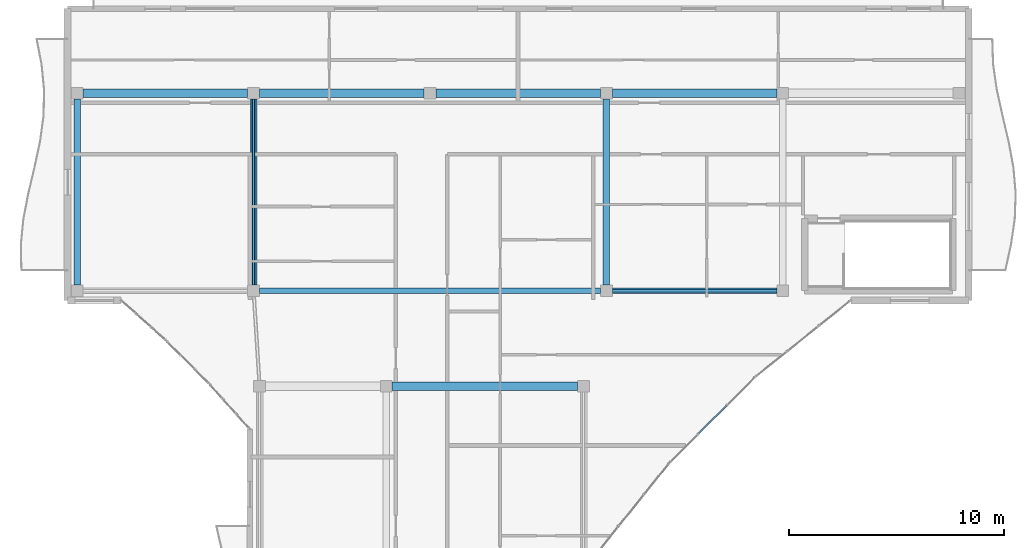
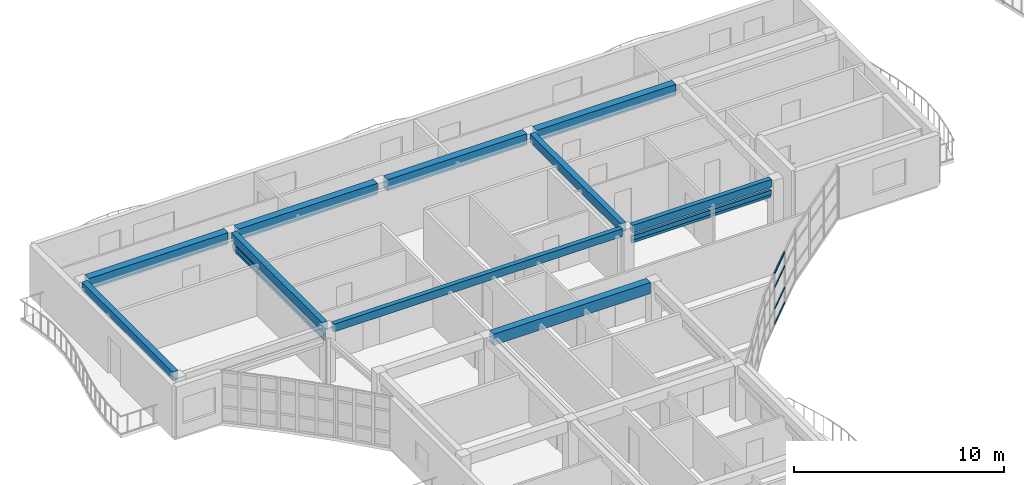
# One storey, part 5 of 49: 10 beams, 8 members, 1 element without a shape of its own.
"""IFC4 building model written with IfcOpenShell, lengths in metres."""

from ifc_helpers import new_model, si_unit, direction, frame, origin, origin_2d, place, context, subcontext, project, spatial, rectangle, hollow_rectangle, extrude, material, layer, layer_set, material_profile, profile_set, type_object, element, aggregate, save


model = new_model("IFC4")

# Units and contexts
model_context = context("Model", 3, precision=1e-05, world=origin(), true_north=direction((0.0, 1.0)))
body_context = subcontext(model_context, "Body", "Model", "MODEL_VIEW")
ifc_project = project(units=[si_unit("LENGTHUNIT", "METRE"), si_unit("AREAUNIT", "SQUARE_METRE"), si_unit("VOLUMEUNIT", "CUBIC_METRE"), si_unit("PLANEANGLEUNIT", "RADIAN"), si_unit("MASSUNIT", "GRAM", prefix="KILO")], contexts=[model_context])

# Site, building, storey
site_placement = place(None, origin())
site = spatial("IfcSite", under=ifc_project, at=site_placement, CompositionType="ELEMENT")
building_placement = place(site_placement, origin())
building = spatial("IfcBuilding", under=site, at=building_placement, Name="Keldmere Railside Commons", CompositionType="ELEMENT")
storey_placement = place(building_placement, frame((0.0, 0.0, 29.760009765625)))
storey = spatial("IfcBuildingStorey", under=building, at=storey_placement, Name="L09", CompositionType="ELEMENT", Elevation=29.760009765625)

# Members
ifc_material_1 = material(Name="Steel F-36 (S355)", Category="steel")
ifc_material_profile_1 = material_profile(ifc_material_1, hollow_rectangle(XDim=0.14990234375, YDim=0.25, WallThickness=0.010009765625, at=origin_2d()), Name="RHS-250x150x10")
ifc_profile_set_1 = profile_set([ifc_material_profile_1], Name="Steel F-36 (S355)")
member_type_1 = type_object("IfcMemberType", Name="Balcony Continuous Planted Trough RHS250x150", PredefinedType="CHORD", material=ifc_profile_set_1)
member_1_placement = place(storey_placement, frame((64.885009765625, 100.449951171875, 2.4150390625), z_axis=(1.0, 0.0, 0.0), x_axis=(0.0, 1.0, 0.0)))
element("IfcMember", 1, at=member_1_placement, inside=storey, type_object=member_type_1, Name="PLT-1 MEM-BPLT-0931", PredefinedType="CHORD", context=body_context, shape_type="SweptSolid", body=[
    extrude(hollow_rectangle(XDim=0.14990234375, YDim=0.25, WallThickness=0.010009765625, at=origin_2d()), origin(), (0.0, 0.0, 1.0), 7.669921875),
])
member_2_placement = place(storey_placement, frame((48.169921875, 100.72509765625, 2.4150390625), z_axis=(0.0, 1.0, 0.0), x_axis=(-1.0, 0.0, 0.0)))
element("IfcMember", 2, at=member_2_placement, inside=storey, type_object=member_type_1, Name="PLT-1 MEM-BPLT-0937", PredefinedType="CHORD", context=body_context, shape_type="SweptSolid", body=[
    extrude(hollow_rectangle(XDim=0.14990234375, YDim=0.25, WallThickness=0.010009765625, at=origin_2d()), origin(), (0.0, 0.0, 1.0), 8.64990234375),
])

# Beams
ifc_material_2 = material(Name="Architectural Precast Concrete H-35 (C35/45)", Category="concrete")
ifc_material_profile_2 = material_profile(ifc_material_2, rectangle(XDim=0.25, YDim=0.449951171875, at=origin_2d()), Name="RC-250x450")
ifc_profile_set_2 = profile_set([ifc_material_profile_2], Name="Architectural Precast Concrete H-35 (C35/45)")
beam_type_1 = type_object("IfcBeamType", Name="Perimeter Precast Spandrel Beam 250x450", PredefinedType="SPANDREL", material=ifc_profile_set_2)
beam_1_placement = place(storey_placement, frame((48.445068359375, 100.449951171875, 2.97509765625), z_axis=(1.0, 0.0, 0.0), x_axis=(0.0, 1.0, 0.0)))
element("IfcBeam", 3, at=beam_1_placement, inside=storey, type_object=beam_type_1, Name="SPB-1 BM-L09-2293", PredefinedType="SPANDREL", context=body_context, shape_type="SweptSolid", body=[
    extrude(rectangle(XDim=0.25, YDim=0.449951171875, at=origin_2d()), origin(), (0.0, 0.0, 1.0), 15.889892578125),
])
beam_2_placement = place(storey_placement, frame((64.885009765625, 100.449951171875, 2.97509765625), z_axis=(1.0, 0.0, 0.0), x_axis=(0.0, 1.0, 0.0)))
element("IfcBeam", 4, at=beam_2_placement, inside=storey, type_object=beam_type_1, Name="SPB-1 BM-L09-2294", PredefinedType="SPANDREL", context=body_context, shape_type="SweptSolid", body=[
    extrude(rectangle(XDim=0.25, YDim=0.449951171875, at=origin_2d()), origin(), (0.0, 0.0, 1.0), 7.669921875),
])
ifc_material_3 = material(Name="Concrete H-30 (C30/37)", Category="concrete")
ifc_material_profile_3 = material_profile(ifc_material_3, rectangle(XDim=0.39990234375, YDim=0.64990234375, at=origin_2d()), Name="RC-400x650")
ifc_profile_set_3 = profile_set([ifc_material_profile_3], Name="Concrete H-30 (C30/37)")
beam_type_2 = type_object("IfcBeamType", Name="Residential Spine RC Girder 400x650", PredefinedType="BEAM", material=ifc_profile_set_3)
beam_3_placement = place(storey_placement, frame((54.625, 96.0, 2.875), z_axis=(1.0, 0.0, 0.0), x_axis=(0.0, 1.0, 0.0)))
element("IfcBeam", 5, at=beam_3_placement, inside=storey, type_object=beam_type_2, Name="BG-3 BM-L09-2287", PredefinedType="BEAM", context=body_context, shape_type="SweptSolid", body=[
    extrude(rectangle(XDim=0.39990234375, YDim=0.64990234375, at=origin_2d()), origin(), (0.0, 0.0, 1.0), 8.64990234375),
])
for number, where, z_axis, x_axis, name in (
    (6, (40.22509765625, 109.64990234375, 2.875), (1.0, 0.0, 0.0), (0.0, 1.0, 0.0), "BG-3 BM-L09-2301"),
    (7, (48.445068359375, 109.64990234375, 2.875), (1.0, 0.0, 0.0), (0.0, 1.0, 0.0), "BG-3 BM-L09-2302"),
    (8, (56.6650390625, 109.64990234375, 2.875), (1.0, 0.0, 0.0), (0.0, 1.0, 0.0), "BG-3 BM-L09-2303"),
    (9, (64.885009765625, 109.64990234375, 2.875), (1.0, 0.0, 0.0), (0.0, 1.0, 0.0), "BG-3 BM-L09-2304"),
):
    element("IfcBeam", number, at=place(storey_placement, frame(where, z_axis=z_axis, x_axis=x_axis)), inside=storey, type_object=beam_type_2, Name=name, PredefinedType="BEAM", context=body_context, shape_type="SweptSolid", body=[
        extrude(rectangle(XDim=0.39990234375, YDim=0.64990234375, at=origin_2d()), origin(), (0.0, 0.0, 1.0), 7.669921875),
    ])
ifc_material_profile_4 = material_profile(ifc_material_3, rectangle(XDim=0.300048828125, YDim=0.5, at=origin_2d()), Name="RC-300x500")
ifc_profile_set_4 = profile_set([ifc_material_profile_4], Name="Concrete H-30 (C30/37)")
beam_type_3 = type_object("IfcBeamType", Name="Secondary Frame RC Beam 300x500", PredefinedType="BEAM", material=ifc_profile_set_4)
for number, where, z_axis, x_axis, name in (
    (10, (39.949951171875, 100.72509765625, 2.949951171875), (0.0, 1.0, 0.0), (-1.0, 0.0, 0.0), "BG-5 BM-L09-2322"),
    (11, (48.169921875, 100.72509765625, 2.949951171875), (0.0, 1.0, 0.0), (-1.0, 0.0, 0.0), "BG-5 BM-L09-2323"),
    (12, (64.610107421875, 100.72509765625, 2.949951171875), (0.0, 1.0, 0.0), (-1.0, 0.0, 0.0), "BG-5 BM-L09-2331"),
):
    element("IfcBeam", number, at=place(storey_placement, frame(where, z_axis=z_axis, x_axis=x_axis)), inside=storey, type_object=beam_type_3, Name=name, PredefinedType="BEAM", context=body_context, shape_type="SweptSolid", body=[
        extrude(rectangle(XDim=0.300048828125, YDim=0.5, at=origin_2d()), origin(), (0.0, 0.0, 1.0), 8.64990234375),
    ])

# Members
ifc_material_profile_5 = material_profile(ifc_material_1, hollow_rectangle(XDim=0.10009765625, YDim=0.159912109375, WallThickness=0.008056640625, at=origin_2d()), Name="RHS-160x100x8")
ifc_profile_set_5 = profile_set([ifc_material_profile_5], Name="Steel F-36 (S355)")
member_type_2 = type_object("IfcMemberType", Name="Solar Brise-Soleil Louvre Fin RHS160x100", PredefinedType="STRUT", material=ifc_profile_set_5)
member_3_placement = place(storey_placement, frame((64.885009765625, 100.449951171875, 2.199951171875), z_axis=(1.0, 0.0, 0.0), x_axis=(0.0, 1.0, 0.0)))
element("IfcMember", 13, at=member_3_placement, inside=storey, type_object=member_type_2, Name="BSF-1 MEM-BSF-0932", PredefinedType="STRUT", context=body_context, shape_type="SweptSolid", body=[
    extrude(hollow_rectangle(XDim=0.10009765625, YDim=0.159912109375, WallThickness=0.008056640625, at=origin_2d()), origin(), (0.0, 0.0, 1.0), 7.669921875),
])
member_4_placement = place(storey_placement, frame((48.169921875, 100.72509765625, 2.199951171875), z_axis=(0.0, 1.0, 0.0), x_axis=(-1.0, 0.0, 0.0)))
element("IfcMember", 14, at=member_4_placement, inside=storey, type_object=member_type_2, Name="BSF-1 MEM-BSF-0938", PredefinedType="STRUT", context=body_context, shape_type="SweptSolid", body=[
    extrude(hollow_rectangle(XDim=0.10009765625, YDim=0.159912109375, WallThickness=0.008056640625, at=origin_2d()), origin(), (0.0, 0.0, 1.0), 8.64990234375),
])

# Curtain wall, members
ifc_material_4 = material(Name="Thermally Broken Aluminium", Category="aluminium")
ifc_layer = layer(ifc_material_4, 0.159912109375, Name="Court Chord Wintergarden CW 5400x2850")
ifc_layer_set = layer_set([ifc_layer], Name="Thermally Broken Aluminium")
curtain_wall_type = type_object("IfcCurtainWallType", Name="Court Chord Wintergarden CW 5400x2850", PredefinedType="NOTDEFINED", material=ifc_layer_set)
curtain_wall_placement = place(storey_placement, origin())
curtain_wall = element("IfcCurtainWall", 15, at=curtain_wall_placement, inside=storey, type_object=curtain_wall_type, Name="CW-13 CW-L09-080", PredefinedType="NOTDEFINED")
ifc_material_profile_6 = material_profile(ifc_material_4, hollow_rectangle(XDim=0.06494140625, YDim=0.1201171875, WallThickness=0.00390625, at=origin_2d()), Name="ALU-TRAN-65x120")
ifc_profile_set_6 = profile_set([ifc_material_profile_6], Name="Thermally Broken Aluminium")
member_type_3 = type_object("IfcMemberType", Name="Unitised Curtain Wall Transom 65x120", PredefinedType="USERDEFINED", material=ifc_profile_set_6)
member_5_placement = place(storey_placement, frame((70.208251953125, 95.08447265625, 0.032470703125), z_axis=(-0.707106781187, -0.707106781187, 0.0), x_axis=(0.707106781187, -0.707106781187, 0.0)))
member_5 = element("IfcMember", 16, at=member_5_placement, type_object=member_type_3, Name="CW-13 transom 2.1", ObjectType="TRANSOM", PredefinedType="USERDEFINED", context=body_context, shape_type="SweptSolid", body=[
    extrude(hollow_rectangle(XDim=0.06494140625, YDim=0.1201171875, WallThickness=0.00390625, at=origin_2d()), origin(), (0.0, 0.0, 1.0), 1.828125),
])
member_6_placement = place(storey_placement, frame((70.208251953125, 95.08447265625, 0.89990234375), z_axis=(-0.707106781187, -0.707106781187, 0.0), x_axis=(0.707106781187, -0.707106781187, 0.0)))
member_6 = element("IfcMember", 17, at=member_6_placement, type_object=member_type_3, Name="CW-13 transom 2.2", ObjectType="TRANSOM", PredefinedType="USERDEFINED", context=body_context, shape_type="SweptSolid", body=[
    extrude(hollow_rectangle(XDim=0.06494140625, YDim=0.1201171875, WallThickness=0.00390625, at=origin_2d()), origin(), (0.0, 0.0, 1.0), 1.828125),
])
member_7_placement = place(storey_placement, frame((70.208251953125, 95.08447265625, 2.14990234375), z_axis=(-0.707106781187, -0.707106781187, 0.0), x_axis=(0.707106781187, -0.707106781187, 0.0)))
member_7 = element("IfcMember", 18, at=member_7_placement, type_object=member_type_3, Name="CW-13 transom 2.3", ObjectType="TRANSOM", PredefinedType="USERDEFINED", context=body_context, shape_type="SweptSolid", body=[
    extrude(hollow_rectangle(XDim=0.06494140625, YDim=0.1201171875, WallThickness=0.00390625, at=origin_2d()), origin(), (0.0, 0.0, 1.0), 1.828125),
])
member_8_placement = place(storey_placement, frame((70.208251953125, 95.08447265625, 2.947509765625), z_axis=(-0.707106781187, -0.707106781187, 0.0), x_axis=(0.707106781187, -0.707106781187, 0.0)))
member_8 = element("IfcMember", 19, at=member_8_placement, type_object=member_type_3, Name="CW-13 transom 2.4", ObjectType="TRANSOM", PredefinedType="USERDEFINED", context=body_context, shape_type="SweptSolid", body=[
    extrude(hollow_rectangle(XDim=0.06494140625, YDim=0.1201171875, WallThickness=0.00390625, at=origin_2d()), origin(), (0.0, 0.0, 1.0), 1.828125),
])
aggregate(curtain_wall, [member_5, member_6, member_7, member_8])

save(model, "model.ifc")
